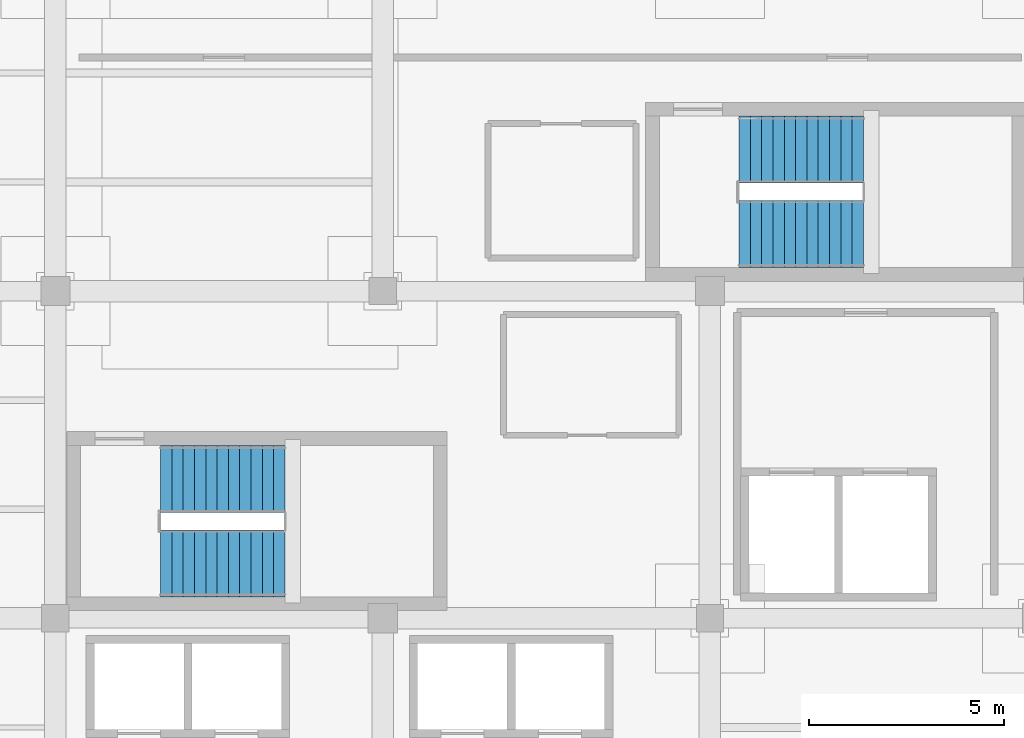
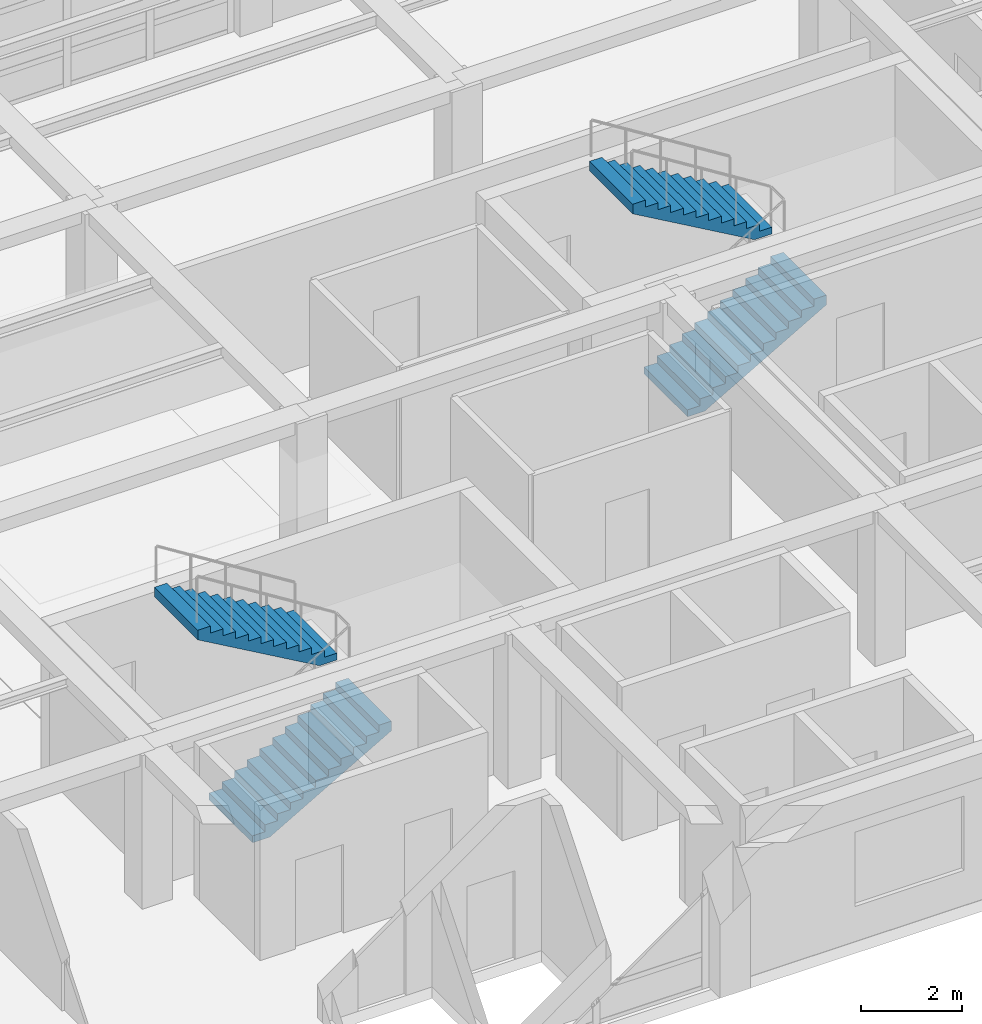
# One storey, part 30 of 31: 4 stair flights, 2 elements without a shape of their own.
"""IFC4 building model written with IfcOpenShell, lengths in metres."""

from ifc_helpers import new_model, si_unit, direction, frame, origin, place, context, subcontext, project, spatial, polyline, outline, extrude, material, layer, layer_set, type_object, element, aggregate, save


model = new_model("IFC4")

# Units and contexts
model_context = context("Model", 3, precision=1e-05, world=origin(), true_north=direction((0.0, 1.0)))
body_context = subcontext(model_context, "Body", "Model", "MODEL_VIEW")
ifc_project = project(units=[si_unit("LENGTHUNIT", "METRE"), si_unit("AREAUNIT", "SQUARE_METRE"), si_unit("VOLUMEUNIT", "CUBIC_METRE"), si_unit("PLANEANGLEUNIT", "RADIAN"), si_unit("MASSUNIT", "GRAM", prefix="KILO")], contexts=[model_context])

# Site, building, storey
site_placement = place(None, origin())
site = spatial("IfcSite", under=ifc_project, at=site_placement, CompositionType="ELEMENT")
building_placement = place(site_placement, origin())
building = spatial("IfcBuilding", under=site, at=building_placement, Name="Almacenes y Pasaje Nevantli", CompositionType="ELEMENT")
storey_placement = place(building_placement, frame((0.0, 0.0, 34.699951171875)))
storey = spatial("IfcBuildingStorey", under=building, at=storey_placement, Name="L08", CompositionType="ELEMENT", Elevation=34.699951171875)

# Stair, stair flights
ifc_material_1 = material(Name="Concrete C35/45", Category="concrete")
stair_type = type_object("IfcStairType", Name="STR-CORE-1720", PredefinedType="HALF_TURN_STAIR", material=ifc_material_1)
stair_1_placement = place(storey_placement, origin())
stair_1 = element("IfcStair", 1, at=stair_1_placement, inside=storey, type_object=stair_type, Name="L08 Staircase ST-01", PredefinedType="HALF_TURN_STAIR")
ifc_material_2 = material(Name="Concrete C35/45", Category="concrete")
ifc_layer = layer(ifc_material_2, 0.199951171875)
ifc_layer_set = layer_set([ifc_layer], Name="Concrete C35/45")
stair_flight_type = type_object("IfcStairFlightType", Name="SFL-RC-200", PredefinedType="STRAIGHT", material=ifc_layer_set)
stair_flight_1_placement = place(storey_placement, frame((120.300048828125, 77.010009765625, 0.0), z_axis=(0.0, 0.0, 1.0), x_axis=(1.0, 0.0, 0.0)))
stair_flight_1 = element("IfcStairFlight", 2, at=stair_flight_1_placement, type_object=stair_flight_type, Name="ST-01-L08 flight 1", NumberOfRisers=12, NumberOfTreads=11, PredefinedType="STRAIGHT", RiserHeight=0.166667, TreadLength=0.29, context=body_context, shape_type="SweptSolid", body=[
    extrude(outline(polyline([(0.0, 0.0), (0.0, 0.166748046875), (0.2900390625, 0.166748046875), (0.2900390625, 0.333251953125), (0.580078125, 0.333251953125), (0.580078125, 0.5), (0.8701171875, 0.5), (0.8701171875, 0.666748046875), (1.159912109375, 0.666748046875), (1.159912109375, 0.833251953125), (1.449951171875, 0.833251953125), (1.449951171875, 1.0), (1.739990234375, 1.0), (1.739990234375, 1.166748046875), (2.030029296875, 1.166748046875), (2.030029296875, 1.333251953125), (2.320068359375, 1.333251953125), (2.320068359375, 1.5), (2.610107421875, 1.5), (2.610107421875, 1.666748046875), (2.89990234375, 1.666748046875), (2.89990234375, 1.833251953125), (3.18994140625, 1.833251953125), (3.18994140625, 2.0), (3.18994140625, 1.602783203125), (0.4013671875, 0.0), (0.0, 0.0)])), frame((0.0, 0.85986328125, 0.0), z_axis=(0.0, -1.0, 0.0), x_axis=(1.0, 0.0, 0.0)), (0.0, 0.0, 1.0), 1.719970703125),
])
stair_flight_2_placement = place(storey_placement, frame((123.489990234375, 79.179931640625, 2.0), z_axis=(0.0, 0.0, 1.0), x_axis=(-1.0, 0.0, 0.0)))
stair_flight_2 = element("IfcStairFlight", 3, at=stair_flight_2_placement, type_object=stair_flight_type, Name="ST-01-L08 flight 2", NumberOfRisers=12, NumberOfTreads=11, PredefinedType="STRAIGHT", RiserHeight=0.166667, TreadLength=0.29, context=body_context, shape_type="SweptSolid", body=[
    extrude(outline(polyline([(0.0, 0.0), (0.0, 0.166748046875), (0.2900390625, 0.166748046875), (0.2900390625, 0.333251953125), (0.580078125, 0.333251953125), (0.580078125, 0.5), (0.8701171875, 0.5), (0.8701171875, 0.666748046875), (1.159912109375, 0.666748046875), (1.159912109375, 0.833251953125), (1.449951171875, 0.833251953125), (1.449951171875, 1.0), (1.739990234375, 1.0), (1.739990234375, 1.166748046875), (2.030029296875, 1.166748046875), (2.030029296875, 1.333251953125), (2.320068359375, 1.333251953125), (2.320068359375, 1.5), (2.610107421875, 1.5), (2.610107421875, 1.666748046875), (2.89990234375, 1.666748046875), (2.89990234375, 1.833251953125), (3.18994140625, 1.833251953125), (3.18994140625, 2.0), (3.18994140625, 1.602783203125), (0.4013671875, 0.0), (0.0, 0.0)])), frame((0.0, 0.85986328125, 0.0), z_axis=(0.0, -1.0, 0.0), x_axis=(1.0, 0.0, 0.0)), (0.0, 0.0, 1.0), 1.719970703125),
])
aggregate(stair_1, [stair_flight_1, stair_flight_2])

stair_2_placement = place(storey_placement, origin())
stair_2 = element("IfcStair", 4, at=stair_2_placement, inside=storey, type_object=stair_type, Name="L08 Staircase ST-02", PredefinedType="HALF_TURN_STAIR")
stair_flight_3_placement = place(storey_placement, frame((135.14990234375, 85.4599609375, 0.0), z_axis=(0.0, 0.0, 1.0), x_axis=(1.0, 0.0, 0.0)))
stair_flight_3 = element("IfcStairFlight", 5, at=stair_flight_3_placement, type_object=stair_flight_type, Name="ST-02-L08 flight 1", NumberOfRisers=12, NumberOfTreads=11, PredefinedType="STRAIGHT", RiserHeight=0.166667, TreadLength=0.29, context=body_context, shape_type="SweptSolid", body=[
    extrude(outline(polyline([(0.0, 0.0), (0.0, 0.166748046875), (0.2900390625, 0.166748046875), (0.2900390625, 0.333251953125), (0.580078125, 0.333251953125), (0.580078125, 0.5), (0.8701171875, 0.5), (0.8701171875, 0.666748046875), (1.159912109375, 0.666748046875), (1.159912109375, 0.833251953125), (1.449951171875, 0.833251953125), (1.449951171875, 1.0), (1.739990234375, 1.0), (1.739990234375, 1.166748046875), (2.030029296875, 1.166748046875), (2.030029296875, 1.333251953125), (2.320068359375, 1.333251953125), (2.320068359375, 1.5), (2.610107421875, 1.5), (2.610107421875, 1.666748046875), (2.89990234375, 1.666748046875), (2.89990234375, 1.833251953125), (3.18994140625, 1.833251953125), (3.18994140625, 2.0), (3.18994140625, 1.602783203125), (0.4013671875, 0.0), (0.0, 0.0)])), frame((0.0, 0.85986328125, 0.0), z_axis=(0.0, -1.0, 0.0), x_axis=(1.0, 0.0, 0.0)), (0.0, 0.0, 1.0), 1.719970703125),
])
stair_flight_4_placement = place(storey_placement, frame((138.340087890625, 87.6298828125, 2.0), z_axis=(0.0, 0.0, 1.0), x_axis=(-1.0, 0.0, 0.0)))
stair_flight_4 = element("IfcStairFlight", 6, at=stair_flight_4_placement, type_object=stair_flight_type, Name="ST-02-L08 flight 2", NumberOfRisers=12, NumberOfTreads=11, PredefinedType="STRAIGHT", RiserHeight=0.166667, TreadLength=0.29, context=body_context, shape_type="SweptSolid", body=[
    extrude(outline(polyline([(0.0, 0.0), (0.0, 0.166748046875), (0.2900390625, 0.166748046875), (0.2900390625, 0.333251953125), (0.580078125, 0.333251953125), (0.580078125, 0.5), (0.8701171875, 0.5), (0.8701171875, 0.666748046875), (1.159912109375, 0.666748046875), (1.159912109375, 0.833251953125), (1.449951171875, 0.833251953125), (1.449951171875, 1.0), (1.739990234375, 1.0), (1.739990234375, 1.166748046875), (2.030029296875, 1.166748046875), (2.030029296875, 1.333251953125), (2.320068359375, 1.333251953125), (2.320068359375, 1.5), (2.610107421875, 1.5), (2.610107421875, 1.666748046875), (2.89990234375, 1.666748046875), (2.89990234375, 1.833251953125), (3.18994140625, 1.833251953125), (3.18994140625, 2.0), (3.18994140625, 1.602783203125), (0.4013671875, 0.0), (0.0, 0.0)])), frame((0.0, 0.85986328125, 0.0), z_axis=(0.0, -1.0, 0.0), x_axis=(1.0, 0.0, 0.0)), (0.0, 0.0, 1.0), 1.719970703125),
])
aggregate(stair_2, [stair_flight_3, stair_flight_4])

save(model, "model.ifc")
